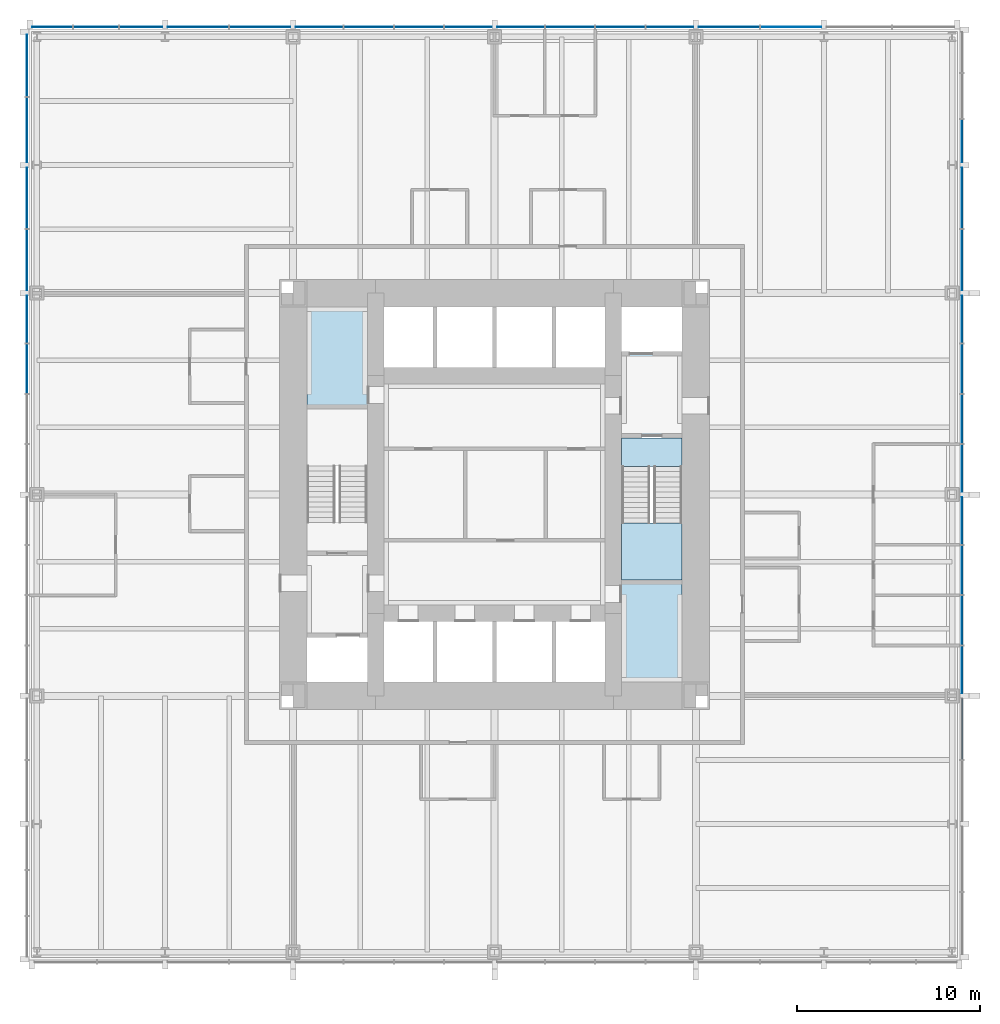
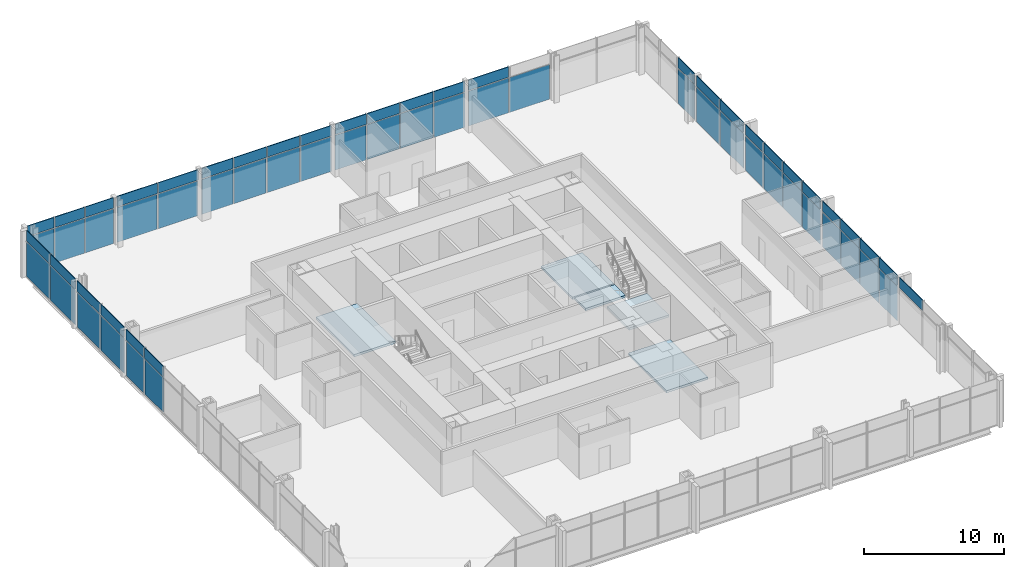
# One storey, part 8 of 12: 64 plates, 5 slabs, 4 elements without a shape of their own.
"""IFC4 building model written with IfcOpenShell, lengths in metres."""

from ifc_helpers import new_model, si_unit, direction, frame, origin, origin_2d, place, context, subcontext, project, spatial, polyline, rectangle, outline, extrude, material, layer, layer_set, type_object, element, aggregate, save


model = new_model("IFC4")

# Units and contexts
model_context = context("Model", 3, precision=1e-05, world=origin(), true_north=direction((0.0, 1.0)))
body_context = subcontext(model_context, "Body", "Model", "MODEL_VIEW")
ifc_project = project(units=[si_unit("LENGTHUNIT", "METRE"), si_unit("AREAUNIT", "SQUARE_METRE"), si_unit("VOLUMEUNIT", "CUBIC_METRE"), si_unit("PLANEANGLEUNIT", "RADIAN"), si_unit("MASSUNIT", "GRAM", prefix="KILO")], contexts=[model_context])

# Site, building, storey
site_placement = place(None, origin())
site = spatial("IfcSite", under=ifc_project, at=site_placement, CompositionType="ELEMENT")
building_placement = place(site_placement, origin())
building = spatial("IfcBuilding", under=site, at=building_placement, Name="Trevanion Tower", CompositionType="ELEMENT")
storey_placement = place(building_placement, frame((0.0, 0.0, 28.300048828125)))
storey = spatial("IfcBuildingStorey", under=building, at=storey_placement, Name="L06", CompositionType="ELEMENT", Elevation=28.300048828125)

# Curtain wall, plates
ifc_material_1 = material(Name="Aluminium and glass", Category="aluminium")
curtain_wall_type = type_object("IfcCurtainWallType", Name="CW1 curtain wall", PredefinedType="USERDEFINED", material=ifc_material_1)
curtain_wall_1_placement = place(storey_placement, origin())
curtain_wall_1 = element("IfcCurtainWall", 1, at=curtain_wall_1_placement, inside=storey, type_object=curtain_wall_type, Name="CW1 L06 0", ObjectType="UNITISED CURTAIN WALL", PredefinedType="USERDEFINED")
ifc_material_2 = material(Name="Aluminium spandrel panel", Category="aluminium")
ifc_layer_1 = layer(ifc_material_2, 0.06005859375)
ifc_layer_set_1 = layer_set([ifc_layer_1], Name="CW1 spandrel panel")
plate_type_1 = type_object("IfcPlateType", Name="CW1 spandrel panel", PredefinedType="CURTAIN_PANEL", material=ifc_layer_set_1)
plate_1_placement = place(storey_placement, frame((25.550048828125, -12.806396484375, 2.99755859375), z_axis=(0.0, 0.0, 1.0), x_axis=(0.0, 1.0, 0.0)))
plate_1 = element("IfcPlate", 2, at=plate_1_placement, type_object=plate_type_1, Name="CW1 panel 4.2", PredefinedType="CURTAIN_PANEL", context=body_context, shape_type="SweptSolid", body=[
    extrude(rectangle(XDim=3.3125, YDim=0.06005859375, at=origin_2d()), origin(), (0.0, 0.0, 1.0), 0.91259765625),
])
plate_2_placement = place(storey_placement, frame((25.550048828125, -9.56884765625, 2.99755859375), z_axis=(0.0, 0.0, 1.0), x_axis=(0.0, 1.0, 0.0)))
plate_2 = element("IfcPlate", 3, at=plate_2_placement, type_object=plate_type_1, Name="CW1 panel 5.2", PredefinedType="CURTAIN_PANEL", context=body_context, shape_type="SweptSolid", body=[
    extrude(rectangle(XDim=2.5625, YDim=0.06005859375, at=origin_2d()), origin(), (0.0, 0.0, 1.0), 0.91259765625),
])
plate_3_placement = place(storey_placement, frame((25.550048828125, -6.875, 2.99755859375), z_axis=(0.0, 0.0, 1.0), x_axis=(0.0, 1.0, 0.0)))
plate_3 = element("IfcPlate", 4, at=plate_3_placement, type_object=plate_type_1, Name="CW1 panel 6.2", PredefinedType="CURTAIN_PANEL", context=body_context, shape_type="SweptSolid", body=[
    extrude(rectangle(XDim=2.675048828125, YDim=0.06005859375, at=origin_2d()), origin(), (0.0, 0.0, 1.0), 0.91259765625),
])
plate_4_placement = place(storey_placement, frame((25.550048828125, -4.125, 2.99755859375), z_axis=(0.0, 0.0, 1.0), x_axis=(0.0, 1.0, 0.0)))
plate_4 = element("IfcPlate", 5, at=plate_4_placement, type_object=plate_type_1, Name="CW1 panel 7.2", PredefinedType="CURTAIN_PANEL", context=body_context, shape_type="SweptSolid", body=[
    extrude(rectangle(XDim=2.675048828125, YDim=0.06005859375, at=origin_2d()), origin(), (0.0, 0.0, 1.0), 0.91259765625),
])
plate_5_placement = place(storey_placement, frame((25.550048828125, -1.43115234375, 2.99755859375), z_axis=(0.0, 0.0, 1.0), x_axis=(0.0, 1.0, 0.0)))
plate_5 = element("IfcPlate", 6, at=plate_5_placement, type_object=plate_type_1, Name="CW1 panel 8.2", PredefinedType="CURTAIN_PANEL", context=body_context, shape_type="SweptSolid", body=[
    extrude(rectangle(XDim=2.5625, YDim=0.06005859375, at=origin_2d()), origin(), (0.0, 0.0, 1.0), 0.91259765625),
])
plate_6_placement = place(storey_placement, frame((25.550048828125, 1.43115234375, 2.99755859375), z_axis=(0.0, 0.0, 1.0), x_axis=(0.0, 1.0, 0.0)))
plate_6 = element("IfcPlate", 7, at=plate_6_placement, type_object=plate_type_1, Name="CW1 panel 9.2", PredefinedType="CURTAIN_PANEL", context=body_context, shape_type="SweptSolid", body=[
    extrude(rectangle(XDim=2.5625, YDim=0.06005859375, at=origin_2d()), origin(), (0.0, 0.0, 1.0), 0.91259765625),
])
plate_7_placement = place(storey_placement, frame((25.550048828125, 4.125, 2.99755859375), z_axis=(0.0, 0.0, 1.0), x_axis=(0.0, 1.0, 0.0)))
plate_7 = element("IfcPlate", 8, at=plate_7_placement, type_object=plate_type_1, Name="CW1 panel 10.2", PredefinedType="CURTAIN_PANEL", context=body_context, shape_type="SweptSolid", body=[
    extrude(rectangle(XDim=2.675048828125, YDim=0.06005859375, at=origin_2d()), origin(), (0.0, 0.0, 1.0), 0.91259765625),
])
plate_8_placement = place(storey_placement, frame((25.550048828125, 6.875, 2.99755859375), z_axis=(0.0, 0.0, 1.0), x_axis=(0.0, 1.0, 0.0)))
plate_8 = element("IfcPlate", 9, at=plate_8_placement, type_object=plate_type_1, Name="CW1 panel 11.2", PredefinedType="CURTAIN_PANEL", context=body_context, shape_type="SweptSolid", body=[
    extrude(rectangle(XDim=2.675048828125, YDim=0.06005859375, at=origin_2d()), origin(), (0.0, 0.0, 1.0), 0.91259765625),
])
plate_9_placement = place(storey_placement, frame((25.550048828125, 9.56884765625, 2.99755859375), z_axis=(0.0, 0.0, 1.0), x_axis=(0.0, 1.0, 0.0)))
plate_9 = element("IfcPlate", 10, at=plate_9_placement, type_object=plate_type_1, Name="CW1 panel 12.2", PredefinedType="CURTAIN_PANEL", context=body_context, shape_type="SweptSolid", body=[
    extrude(rectangle(XDim=2.5625, YDim=0.06005859375, at=origin_2d()), origin(), (0.0, 0.0, 1.0), 0.91259765625),
])
plate_10_placement = place(storey_placement, frame((25.550048828125, 12.80615234375, 2.99755859375), z_axis=(0.0, 0.0, 1.0), x_axis=(0.0, 1.0, 0.0)))
plate_10 = element("IfcPlate", 11, at=plate_10_placement, type_object=plate_type_1, Name="CW1 panel 13.2", PredefinedType="CURTAIN_PANEL", context=body_context, shape_type="SweptSolid", body=[
    extrude(rectangle(XDim=3.3125, YDim=0.06005859375, at=origin_2d()), origin(), (0.0, 0.0, 1.0), 0.91259765625),
])
plate_11_placement = place(storey_placement, frame((25.550048828125, 16.19384765625, 2.99755859375), z_axis=(0.0, 0.0, 1.0), x_axis=(0.0, 1.0, 0.0)))
plate_11 = element("IfcPlate", 12, at=plate_11_placement, type_object=plate_type_1, Name="CW1 panel 14.2", PredefinedType="CURTAIN_PANEL", context=body_context, shape_type="SweptSolid", body=[
    extrude(rectangle(XDim=3.3125, YDim=0.06005859375, at=origin_2d()), origin(), (0.0, 0.0, 1.0), 0.91259765625),
])
plate_12_placement = place(storey_placement, frame((25.550048828125, 19.314697265625, 2.99755859375), z_axis=(0.0, 0.0, 1.0), x_axis=(0.0, 1.0, 0.0)))
plate_12 = element("IfcPlate", 13, at=plate_12_placement, type_object=plate_type_1, Name="CW1 panel 15.2", PredefinedType="CURTAIN_PANEL", context=body_context, shape_type="SweptSolid", body=[
    extrude(rectangle(XDim=2.3291015625, YDim=0.06005859375, at=origin_2d()), origin(), (0.0, 0.0, 1.0), 0.91259765625),
])

curtain_wall_2_placement = place(storey_placement, origin())
curtain_wall_2 = element("IfcCurtainWall", 14, at=curtain_wall_2_placement, inside=storey, type_object=curtain_wall_type, Name="CW1 L06 1", ObjectType="UNITISED CURTAIN WALL", PredefinedType="USERDEFINED")
plate_13_placement = place(storey_placement, frame((12.806396484375, 25.550048828125, 2.99755859375), z_axis=(0.0, 0.0, 1.0), x_axis=(-1.0, 0.0, 0.0)))
plate_13 = element("IfcPlate", 15, at=plate_13_placement, type_object=plate_type_1, Name="CW1 panel 4.2", PredefinedType="CURTAIN_PANEL", context=body_context, shape_type="SweptSolid", body=[
    extrude(rectangle(XDim=3.3125, YDim=0.06005859375, at=origin_2d()), origin(), (0.0, 0.0, 1.0), 0.91259765625),
])
plate_14_placement = place(storey_placement, frame((9.56884765625, 25.550048828125, 2.99755859375), z_axis=(0.0, 0.0, 1.0), x_axis=(-1.0, 0.0, 0.0)))
plate_14 = element("IfcPlate", 16, at=plate_14_placement, type_object=plate_type_1, Name="CW1 panel 5.2", PredefinedType="CURTAIN_PANEL", context=body_context, shape_type="SweptSolid", body=[
    extrude(rectangle(XDim=2.5625, YDim=0.06005859375, at=origin_2d()), origin(), (0.0, 0.0, 1.0), 0.91259765625),
])
plate_15_placement = place(storey_placement, frame((6.875, 25.550048828125, 2.99755859375), z_axis=(0.0, 0.0, 1.0), x_axis=(-1.0, 0.0, 0.0)))
plate_15 = element("IfcPlate", 17, at=plate_15_placement, type_object=plate_type_1, Name="CW1 panel 6.2", PredefinedType="CURTAIN_PANEL", context=body_context, shape_type="SweptSolid", body=[
    extrude(rectangle(XDim=2.675048828125, YDim=0.06005859375, at=origin_2d()), origin(), (0.0, 0.0, 1.0), 0.91259765625),
])
plate_16_placement = place(storey_placement, frame((4.125, 25.550048828125, 2.99755859375), z_axis=(0.0, 0.0, 1.0), x_axis=(-1.0, 0.0, 0.0)))
plate_16 = element("IfcPlate", 18, at=plate_16_placement, type_object=plate_type_1, Name="CW1 panel 7.2", PredefinedType="CURTAIN_PANEL", context=body_context, shape_type="SweptSolid", body=[
    extrude(rectangle(XDim=2.675048828125, YDim=0.06005859375, at=origin_2d()), origin(), (0.0, 0.0, 1.0), 0.91259765625),
])
plate_17_placement = place(storey_placement, frame((1.43115234375, 25.550048828125, 2.99755859375), z_axis=(0.0, 0.0, 1.0), x_axis=(-1.0, 0.0, 0.0)))
plate_17 = element("IfcPlate", 19, at=plate_17_placement, type_object=plate_type_1, Name="CW1 panel 8.2", PredefinedType="CURTAIN_PANEL", context=body_context, shape_type="SweptSolid", body=[
    extrude(rectangle(XDim=2.5625, YDim=0.06005859375, at=origin_2d()), origin(), (0.0, 0.0, 1.0), 0.91259765625),
])
plate_18_placement = place(storey_placement, frame((-1.43115234375, 25.550048828125, 2.99755859375), z_axis=(0.0, 0.0, 1.0), x_axis=(-1.0, 0.0, 0.0)))
plate_18 = element("IfcPlate", 20, at=plate_18_placement, type_object=plate_type_1, Name="CW1 panel 9.2", PredefinedType="CURTAIN_PANEL", context=body_context, shape_type="SweptSolid", body=[
    extrude(rectangle(XDim=2.5625, YDim=0.06005859375, at=origin_2d()), origin(), (0.0, 0.0, 1.0), 0.91259765625),
])
plate_19_placement = place(storey_placement, frame((-4.125, 25.550048828125, 2.99755859375), z_axis=(0.0, 0.0, 1.0), x_axis=(-1.0, 0.0, 0.0)))
plate_19 = element("IfcPlate", 21, at=plate_19_placement, type_object=plate_type_1, Name="CW1 panel 10.2", PredefinedType="CURTAIN_PANEL", context=body_context, shape_type="SweptSolid", body=[
    extrude(rectangle(XDim=2.675048828125, YDim=0.06005859375, at=origin_2d()), origin(), (0.0, 0.0, 1.0), 0.91259765625),
])
plate_20_placement = place(storey_placement, frame((-6.875, 25.550048828125, 2.99755859375), z_axis=(0.0, 0.0, 1.0), x_axis=(-1.0, 0.0, 0.0)))
plate_20 = element("IfcPlate", 22, at=plate_20_placement, type_object=plate_type_1, Name="CW1 panel 11.2", PredefinedType="CURTAIN_PANEL", context=body_context, shape_type="SweptSolid", body=[
    extrude(rectangle(XDim=2.675048828125, YDim=0.06005859375, at=origin_2d()), origin(), (0.0, 0.0, 1.0), 0.91259765625),
])
plate_21_placement = place(storey_placement, frame((-9.56884765625, 25.550048828125, 2.99755859375), z_axis=(0.0, 0.0, 1.0), x_axis=(-1.0, 0.0, 0.0)))
plate_21 = element("IfcPlate", 23, at=plate_21_placement, type_object=plate_type_1, Name="CW1 panel 12.2", PredefinedType="CURTAIN_PANEL", context=body_context, shape_type="SweptSolid", body=[
    extrude(rectangle(XDim=2.5625, YDim=0.06005859375, at=origin_2d()), origin(), (0.0, 0.0, 1.0), 0.91259765625),
])
plate_22_placement = place(storey_placement, frame((-12.80615234375, 25.550048828125, 2.99755859375), z_axis=(0.0, 0.0, 1.0), x_axis=(-1.0, 0.0, 0.0)))
plate_22 = element("IfcPlate", 24, at=plate_22_placement, type_object=plate_type_1, Name="CW1 panel 13.2", PredefinedType="CURTAIN_PANEL", context=body_context, shape_type="SweptSolid", body=[
    extrude(rectangle(XDim=3.3125, YDim=0.06005859375, at=origin_2d()), origin(), (0.0, 0.0, 1.0), 0.91259765625),
])
plate_23_placement = place(storey_placement, frame((-16.19384765625, 25.550048828125, 2.99755859375), z_axis=(0.0, 0.0, 1.0), x_axis=(-1.0, 0.0, 0.0)))
plate_23 = element("IfcPlate", 25, at=plate_23_placement, type_object=plate_type_1, Name="CW1 panel 14.2", PredefinedType="CURTAIN_PANEL", context=body_context, shape_type="SweptSolid", body=[
    extrude(rectangle(XDim=3.3125, YDim=0.06005859375, at=origin_2d()), origin(), (0.0, 0.0, 1.0), 0.91259765625),
])
plate_24_placement = place(storey_placement, frame((-19.314697265625, 25.550048828125, 2.99755859375), z_axis=(0.0, 0.0, 1.0), x_axis=(-1.0, 0.0, 0.0)))
plate_24 = element("IfcPlate", 26, at=plate_24_placement, type_object=plate_type_1, Name="CW1 panel 15.2", PredefinedType="CURTAIN_PANEL", context=body_context, shape_type="SweptSolid", body=[
    extrude(rectangle(XDim=2.3291015625, YDim=0.06005859375, at=origin_2d()), origin(), (0.0, 0.0, 1.0), 0.91259765625),
])
plate_25_placement = place(storey_placement, frame((-21.77490234375, 25.550048828125, 2.99755859375), z_axis=(0.0, 0.0, 1.0), x_axis=(-1.0, 0.0, 0.0)))
plate_25 = element("IfcPlate", 27, at=plate_25_placement, type_object=plate_type_1, Name="CW1 panel 16.2", PredefinedType="CURTAIN_PANEL", context=body_context, shape_type="SweptSolid", body=[
    extrude(rectangle(XDim=2.441650390625, YDim=0.06005859375, at=origin_2d()), origin(), (0.0, 0.0, 1.0), 0.91259765625),
])
plate_26_placement = place(storey_placement, frame((-24.160400390625, 25.550048828125, 2.99755859375), z_axis=(0.0, 0.0, 1.0), x_axis=(-1.0, 0.0, 0.0)))
plate_26 = element("IfcPlate", 28, at=plate_26_placement, type_object=plate_type_1, Name="CW1 panel 17.2", PredefinedType="CURTAIN_PANEL", context=body_context, shape_type="SweptSolid", body=[
    extrude(rectangle(XDim=2.17919921875, YDim=0.06005859375, at=origin_2d()), origin(), (0.0, 0.0, 1.0), 0.91259765625),
])

curtain_wall_3_placement = place(storey_placement, origin())
curtain_wall_3 = element("IfcCurtainWall", 29, at=curtain_wall_3_placement, inside=storey, type_object=curtain_wall_type, Name="CW1 L06 2", ObjectType="UNITISED CURTAIN WALL", PredefinedType="USERDEFINED")
plate_27_placement = place(storey_placement, frame((-25.550048828125, 23.433837890625, 2.99755859375), z_axis=(0.0, 0.0, 1.0), x_axis=(0.0, -1.0, 0.0)))
plate_27 = element("IfcPlate", 30, at=plate_27_placement, type_object=plate_type_1, Name="CW1 panel 1.2", PredefinedType="CURTAIN_PANEL", context=body_context, shape_type="SweptSolid", body=[
    extrude(rectangle(XDim=3.37255859375, YDim=0.06005859375, at=origin_2d()), origin(), (0.0, 0.0, 1.0), 0.91259765625),
])
plate_28_placement = place(storey_placement, frame((-25.550048828125, 19.911376953125, 2.99755859375), z_axis=(0.0, 0.0, 1.0), x_axis=(0.0, -1.0, 0.0)))
plate_28 = element("IfcPlate", 31, at=plate_28_placement, type_object=plate_type_1, Name="CW1 panel 2.2", PredefinedType="CURTAIN_PANEL", context=body_context, shape_type="SweptSolid", body=[
    extrude(rectangle(XDim=3.5224609375, YDim=0.06005859375, at=origin_2d()), origin(), (0.0, 0.0, 1.0), 0.91259765625),
])
plate_29_placement = place(storey_placement, frame((-25.550048828125, 16.19384765625, 2.99755859375), z_axis=(0.0, 0.0, 1.0), x_axis=(0.0, -1.0, 0.0)))
plate_29 = element("IfcPlate", 32, at=plate_29_placement, type_object=plate_type_1, Name="CW1 panel 3.2", PredefinedType="CURTAIN_PANEL", context=body_context, shape_type="SweptSolid", body=[
    extrude(rectangle(XDim=3.3125, YDim=0.06005859375, at=origin_2d()), origin(), (0.0, 0.0, 1.0), 0.91259765625),
])
plate_30_placement = place(storey_placement, frame((-25.550048828125, 12.806396484375, 2.99755859375), z_axis=(0.0, 0.0, 1.0), x_axis=(0.0, -1.0, 0.0)))
plate_30 = element("IfcPlate", 33, at=plate_30_placement, type_object=plate_type_1, Name="CW1 panel 4.2", PredefinedType="CURTAIN_PANEL", context=body_context, shape_type="SweptSolid", body=[
    extrude(rectangle(XDim=3.3125, YDim=0.06005859375, at=origin_2d()), origin(), (0.0, 0.0, 1.0), 0.91259765625),
])
plate_31_placement = place(storey_placement, frame((-25.550048828125, 9.56884765625, 2.99755859375), z_axis=(0.0, 0.0, 1.0), x_axis=(0.0, -1.0, 0.0)))
plate_31 = element("IfcPlate", 34, at=plate_31_placement, type_object=plate_type_1, Name="CW1 panel 5.2", PredefinedType="CURTAIN_PANEL", context=body_context, shape_type="SweptSolid", body=[
    extrude(rectangle(XDim=2.5625, YDim=0.06005859375, at=origin_2d()), origin(), (0.0, 0.0, 1.0), 0.91259765625),
])
plate_32_placement = place(storey_placement, frame((-25.550048828125, 6.875, 2.99755859375), z_axis=(0.0, 0.0, 1.0), x_axis=(0.0, -1.0, 0.0)))
plate_32 = element("IfcPlate", 35, at=plate_32_placement, type_object=plate_type_1, Name="CW1 panel 6.2", PredefinedType="CURTAIN_PANEL", context=body_context, shape_type="SweptSolid", body=[
    extrude(rectangle(XDim=2.675048828125, YDim=0.06005859375, at=origin_2d()), origin(), (0.0, 0.0, 1.0), 0.91259765625),
])

# Plate
ifc_material_3 = material(Name="Insulating glass unit", Category="glass")
ifc_layer_2 = layer(ifc_material_3, 0.028076171875)
ifc_layer_set_2 = layer_set([ifc_layer_2], Name="CW1 vision panel")
plate_type_2 = type_object("IfcPlateType", Name="CW1 vision panel", PredefinedType="CURTAIN_PANEL", material=ifc_layer_set_2)
plate_33_placement = place(storey_placement, frame((25.550048828125, -9.56884765625, -0.115234375), z_axis=(0.0, 0.0, 1.0), x_axis=(0.0, 1.0, 0.0)))
plate_33 = element("IfcPlate", 36, at=plate_33_placement, type_object=plate_type_2, Name="CW1 panel 5.1", PredefinedType="CURTAIN_PANEL", context=body_context, shape_type="SweptSolid", body=[
    extrude(rectangle(XDim=2.5625, YDim=0.028076171875, at=origin_2d()), origin(), (0.0, 0.0, 1.0), 3.03759765625),
])

plate_34_placement = place(storey_placement, frame((25.550048828125, -6.875, -0.115234375), z_axis=(0.0, 0.0, 1.0), x_axis=(0.0, 1.0, 0.0)))
plate_34 = element("IfcPlate", 37, at=plate_34_placement, type_object=plate_type_2, Name="CW1 panel 6.1", PredefinedType="CURTAIN_PANEL", context=body_context, shape_type="SweptSolid", body=[
    extrude(rectangle(XDim=2.675048828125, YDim=0.028076171875, at=origin_2d()), origin(), (0.0, 0.0, 1.0), 3.03759765625),
])

plate_35_placement = place(storey_placement, frame((25.550048828125, -4.125, -0.115234375), z_axis=(0.0, 0.0, 1.0), x_axis=(0.0, 1.0, 0.0)))
plate_35 = element("IfcPlate", 38, at=plate_35_placement, type_object=plate_type_2, Name="CW1 panel 7.1", PredefinedType="CURTAIN_PANEL", context=body_context, shape_type="SweptSolid", body=[
    extrude(rectangle(XDim=2.675048828125, YDim=0.028076171875, at=origin_2d()), origin(), (0.0, 0.0, 1.0), 3.03759765625),
])

plate_36_placement = place(storey_placement, frame((25.550048828125, -1.43115234375, -0.115234375), z_axis=(0.0, 0.0, 1.0), x_axis=(0.0, 1.0, 0.0)))
plate_36 = element("IfcPlate", 39, at=plate_36_placement, type_object=plate_type_2, Name="CW1 panel 8.1", PredefinedType="CURTAIN_PANEL", context=body_context, shape_type="SweptSolid", body=[
    extrude(rectangle(XDim=2.5625, YDim=0.028076171875, at=origin_2d()), origin(), (0.0, 0.0, 1.0), 3.03759765625),
])

plate_37_placement = place(storey_placement, frame((25.550048828125, 1.43115234375, -0.115234375), z_axis=(0.0, 0.0, 1.0), x_axis=(0.0, 1.0, 0.0)))
plate_37 = element("IfcPlate", 40, at=plate_37_placement, type_object=plate_type_2, Name="CW1 panel 9.1", PredefinedType="CURTAIN_PANEL", context=body_context, shape_type="SweptSolid", body=[
    extrude(rectangle(XDim=2.5625, YDim=0.028076171875, at=origin_2d()), origin(), (0.0, 0.0, 1.0), 3.03759765625),
])

plate_38_placement = place(storey_placement, frame((25.550048828125, 4.125, -0.115234375), z_axis=(0.0, 0.0, 1.0), x_axis=(0.0, 1.0, 0.0)))
plate_38 = element("IfcPlate", 41, at=plate_38_placement, type_object=plate_type_2, Name="CW1 panel 10.1", PredefinedType="CURTAIN_PANEL", context=body_context, shape_type="SweptSolid", body=[
    extrude(rectangle(XDim=2.675048828125, YDim=0.028076171875, at=origin_2d()), origin(), (0.0, 0.0, 1.0), 3.03759765625),
])

plate_39_placement = place(storey_placement, frame((25.550048828125, 6.875, -0.115234375), z_axis=(0.0, 0.0, 1.0), x_axis=(0.0, 1.0, 0.0)))
plate_39 = element("IfcPlate", 42, at=plate_39_placement, type_object=plate_type_2, Name="CW1 panel 11.1", PredefinedType="CURTAIN_PANEL", context=body_context, shape_type="SweptSolid", body=[
    extrude(rectangle(XDim=2.675048828125, YDim=0.028076171875, at=origin_2d()), origin(), (0.0, 0.0, 1.0), 3.03759765625),
])

plate_40_placement = place(storey_placement, frame((25.550048828125, 9.56884765625, -0.115234375), z_axis=(0.0, 0.0, 1.0), x_axis=(0.0, 1.0, 0.0)))
plate_40 = element("IfcPlate", 43, at=plate_40_placement, type_object=plate_type_2, Name="CW1 panel 12.1", PredefinedType="CURTAIN_PANEL", context=body_context, shape_type="SweptSolid", body=[
    extrude(rectangle(XDim=2.5625, YDim=0.028076171875, at=origin_2d()), origin(), (0.0, 0.0, 1.0), 3.03759765625),
])

plate_41_placement = place(storey_placement, frame((25.550048828125, 12.80615234375, -0.115234375), z_axis=(0.0, 0.0, 1.0), x_axis=(0.0, 1.0, 0.0)))
plate_41 = element("IfcPlate", 44, at=plate_41_placement, type_object=plate_type_2, Name="CW1 panel 13.1", PredefinedType="CURTAIN_PANEL", context=body_context, shape_type="SweptSolid", body=[
    extrude(rectangle(XDim=3.3125, YDim=0.028076171875, at=origin_2d()), origin(), (0.0, 0.0, 1.0), 3.03759765625),
])

plate_42_placement = place(storey_placement, frame((25.550048828125, 16.19384765625, -0.115234375), z_axis=(0.0, 0.0, 1.0), x_axis=(0.0, 1.0, 0.0)))
plate_42 = element("IfcPlate", 45, at=plate_42_placement, type_object=plate_type_2, Name="CW1 panel 14.1", PredefinedType="CURTAIN_PANEL", context=body_context, shape_type="SweptSolid", body=[
    extrude(rectangle(XDim=3.3125, YDim=0.028076171875, at=origin_2d()), origin(), (0.0, 0.0, 1.0), 3.03759765625),
])

plate_43_placement = place(storey_placement, frame((25.550048828125, 19.314697265625, -0.115234375), z_axis=(0.0, 0.0, 1.0), x_axis=(0.0, 1.0, 0.0)))
plate_43 = element("IfcPlate", 46, at=plate_43_placement, type_object=plate_type_2, Name="CW1 panel 15.1", PredefinedType="CURTAIN_PANEL", context=body_context, shape_type="SweptSolid", body=[
    extrude(rectangle(XDim=2.3291015625, YDim=0.028076171875, at=origin_2d()), origin(), (0.0, 0.0, 1.0), 3.03759765625),
])

aggregate(curtain_wall_1, [plate_1, plate_33, plate_2, plate_34, plate_3, plate_35, plate_4, plate_36, plate_5, plate_37, plate_6, plate_38, plate_7, plate_39, plate_8, plate_40, plate_9, plate_41, plate_10, plate_42, plate_11, plate_43, plate_12])

plate_44_placement = place(storey_placement, frame((16.19384765625, 25.550048828125, -0.115234375), z_axis=(0.0, 0.0, 1.0), x_axis=(-1.0, 0.0, 0.0)))
plate_44 = element("IfcPlate", 47, at=plate_44_placement, type_object=plate_type_2, Name="CW1 panel 3.1", PredefinedType="CURTAIN_PANEL", context=body_context, shape_type="SweptSolid", body=[
    extrude(rectangle(XDim=3.3125, YDim=0.028076171875, at=origin_2d()), origin(), (0.0, 0.0, 1.0), 3.03759765625),
])

plate_45_placement = place(storey_placement, frame((12.806396484375, 25.550048828125, -0.115234375), z_axis=(0.0, 0.0, 1.0), x_axis=(-1.0, 0.0, 0.0)))
plate_45 = element("IfcPlate", 48, at=plate_45_placement, type_object=plate_type_2, Name="CW1 panel 4.1", PredefinedType="CURTAIN_PANEL", context=body_context, shape_type="SweptSolid", body=[
    extrude(rectangle(XDim=3.3125, YDim=0.028076171875, at=origin_2d()), origin(), (0.0, 0.0, 1.0), 3.03759765625),
])

plate_46_placement = place(storey_placement, frame((9.56884765625, 25.550048828125, -0.115234375), z_axis=(0.0, 0.0, 1.0), x_axis=(-1.0, 0.0, 0.0)))
plate_46 = element("IfcPlate", 49, at=plate_46_placement, type_object=plate_type_2, Name="CW1 panel 5.1", PredefinedType="CURTAIN_PANEL", context=body_context, shape_type="SweptSolid", body=[
    extrude(rectangle(XDim=2.5625, YDim=0.028076171875, at=origin_2d()), origin(), (0.0, 0.0, 1.0), 3.03759765625),
])

plate_47_placement = place(storey_placement, frame((6.875, 25.550048828125, -0.115234375), z_axis=(0.0, 0.0, 1.0), x_axis=(-1.0, 0.0, 0.0)))
plate_47 = element("IfcPlate", 50, at=plate_47_placement, type_object=plate_type_2, Name="CW1 panel 6.1", PredefinedType="CURTAIN_PANEL", context=body_context, shape_type="SweptSolid", body=[
    extrude(rectangle(XDim=2.675048828125, YDim=0.028076171875, at=origin_2d()), origin(), (0.0, 0.0, 1.0), 3.03759765625),
])

plate_48_placement = place(storey_placement, frame((4.125, 25.550048828125, -0.115234375), z_axis=(0.0, 0.0, 1.0), x_axis=(-1.0, 0.0, 0.0)))
plate_48 = element("IfcPlate", 51, at=plate_48_placement, type_object=plate_type_2, Name="CW1 panel 7.1", PredefinedType="CURTAIN_PANEL", context=body_context, shape_type="SweptSolid", body=[
    extrude(rectangle(XDim=2.675048828125, YDim=0.028076171875, at=origin_2d()), origin(), (0.0, 0.0, 1.0), 3.03759765625),
])

plate_49_placement = place(storey_placement, frame((1.43115234375, 25.550048828125, -0.115234375), z_axis=(0.0, 0.0, 1.0), x_axis=(-1.0, 0.0, 0.0)))
plate_49 = element("IfcPlate", 52, at=plate_49_placement, type_object=plate_type_2, Name="CW1 panel 8.1", PredefinedType="CURTAIN_PANEL", context=body_context, shape_type="SweptSolid", body=[
    extrude(rectangle(XDim=2.5625, YDim=0.028076171875, at=origin_2d()), origin(), (0.0, 0.0, 1.0), 3.03759765625),
])

plate_50_placement = place(storey_placement, frame((-1.43115234375, 25.550048828125, -0.115234375), z_axis=(0.0, 0.0, 1.0), x_axis=(-1.0, 0.0, 0.0)))
plate_50 = element("IfcPlate", 53, at=plate_50_placement, type_object=plate_type_2, Name="CW1 panel 9.1", PredefinedType="CURTAIN_PANEL", context=body_context, shape_type="SweptSolid", body=[
    extrude(rectangle(XDim=2.5625, YDim=0.028076171875, at=origin_2d()), origin(), (0.0, 0.0, 1.0), 3.03759765625),
])

plate_51_placement = place(storey_placement, frame((-4.125, 25.550048828125, -0.115234375), z_axis=(0.0, 0.0, 1.0), x_axis=(-1.0, 0.0, 0.0)))
plate_51 = element("IfcPlate", 54, at=plate_51_placement, type_object=plate_type_2, Name="CW1 panel 10.1", PredefinedType="CURTAIN_PANEL", context=body_context, shape_type="SweptSolid", body=[
    extrude(rectangle(XDim=2.675048828125, YDim=0.028076171875, at=origin_2d()), origin(), (0.0, 0.0, 1.0), 3.03759765625),
])

plate_52_placement = place(storey_placement, frame((-6.875, 25.550048828125, -0.115234375), z_axis=(0.0, 0.0, 1.0), x_axis=(-1.0, 0.0, 0.0)))
plate_52 = element("IfcPlate", 55, at=plate_52_placement, type_object=plate_type_2, Name="CW1 panel 11.1", PredefinedType="CURTAIN_PANEL", context=body_context, shape_type="SweptSolid", body=[
    extrude(rectangle(XDim=2.675048828125, YDim=0.028076171875, at=origin_2d()), origin(), (0.0, 0.0, 1.0), 3.03759765625),
])

plate_53_placement = place(storey_placement, frame((-9.56884765625, 25.550048828125, -0.115234375), z_axis=(0.0, 0.0, 1.0), x_axis=(-1.0, 0.0, 0.0)))
plate_53 = element("IfcPlate", 56, at=plate_53_placement, type_object=plate_type_2, Name="CW1 panel 12.1", PredefinedType="CURTAIN_PANEL", context=body_context, shape_type="SweptSolid", body=[
    extrude(rectangle(XDim=2.5625, YDim=0.028076171875, at=origin_2d()), origin(), (0.0, 0.0, 1.0), 3.03759765625),
])

plate_54_placement = place(storey_placement, frame((-12.80615234375, 25.550048828125, -0.115234375), z_axis=(0.0, 0.0, 1.0), x_axis=(-1.0, 0.0, 0.0)))
plate_54 = element("IfcPlate", 57, at=plate_54_placement, type_object=plate_type_2, Name="CW1 panel 13.1", PredefinedType="CURTAIN_PANEL", context=body_context, shape_type="SweptSolid", body=[
    extrude(rectangle(XDim=3.3125, YDim=0.028076171875, at=origin_2d()), origin(), (0.0, 0.0, 1.0), 3.03759765625),
])

plate_55_placement = place(storey_placement, frame((-16.19384765625, 25.550048828125, -0.115234375), z_axis=(0.0, 0.0, 1.0), x_axis=(-1.0, 0.0, 0.0)))
plate_55 = element("IfcPlate", 58, at=plate_55_placement, type_object=plate_type_2, Name="CW1 panel 14.1", PredefinedType="CURTAIN_PANEL", context=body_context, shape_type="SweptSolid", body=[
    extrude(rectangle(XDim=3.3125, YDim=0.028076171875, at=origin_2d()), origin(), (0.0, 0.0, 1.0), 3.03759765625),
])

plate_56_placement = place(storey_placement, frame((-19.314697265625, 25.550048828125, -0.115234375), z_axis=(0.0, 0.0, 1.0), x_axis=(-1.0, 0.0, 0.0)))
plate_56 = element("IfcPlate", 59, at=plate_56_placement, type_object=plate_type_2, Name="CW1 panel 15.1", PredefinedType="CURTAIN_PANEL", context=body_context, shape_type="SweptSolid", body=[
    extrude(rectangle(XDim=2.3291015625, YDim=0.028076171875, at=origin_2d()), origin(), (0.0, 0.0, 1.0), 3.03759765625),
])

plate_57_placement = place(storey_placement, frame((-21.77490234375, 25.550048828125, -0.115234375), z_axis=(0.0, 0.0, 1.0), x_axis=(-1.0, 0.0, 0.0)))
plate_57 = element("IfcPlate", 60, at=plate_57_placement, type_object=plate_type_2, Name="CW1 panel 16.1", PredefinedType="CURTAIN_PANEL", context=body_context, shape_type="SweptSolid", body=[
    extrude(rectangle(XDim=2.441650390625, YDim=0.028076171875, at=origin_2d()), origin(), (0.0, 0.0, 1.0), 3.03759765625),
])

plate_58_placement = place(storey_placement, frame((-24.160400390625, 25.550048828125, -0.115234375), z_axis=(0.0, 0.0, 1.0), x_axis=(-1.0, 0.0, 0.0)))
plate_58 = element("IfcPlate", 61, at=plate_58_placement, type_object=plate_type_2, Name="CW1 panel 17.1", PredefinedType="CURTAIN_PANEL", context=body_context, shape_type="SweptSolid", body=[
    extrude(rectangle(XDim=2.17919921875, YDim=0.028076171875, at=origin_2d()), origin(), (0.0, 0.0, 1.0), 3.03759765625),
])

aggregate(curtain_wall_2, [plate_44, plate_45, plate_13, plate_46, plate_14, plate_47, plate_15, plate_48, plate_16, plate_49, plate_17, plate_50, plate_18, plate_51, plate_19, plate_52, plate_20, plate_53, plate_21, plate_54, plate_22, plate_55, plate_23, plate_56, plate_24, plate_57, plate_25, plate_58, plate_26])

plate_59_placement = place(storey_placement, frame((-25.550048828125, 23.433837890625, -0.115234375), z_axis=(0.0, 0.0, 1.0), x_axis=(0.0, -1.0, 0.0)))
plate_59 = element("IfcPlate", 62, at=plate_59_placement, type_object=plate_type_2, Name="CW1 panel 1.1", PredefinedType="CURTAIN_PANEL", context=body_context, shape_type="SweptSolid", body=[
    extrude(rectangle(XDim=3.37255859375, YDim=0.028076171875, at=origin_2d()), origin(), (0.0, 0.0, 1.0), 3.03759765625),
])

plate_60_placement = place(storey_placement, frame((-25.550048828125, 19.911376953125, -0.115234375), z_axis=(0.0, 0.0, 1.0), x_axis=(0.0, -1.0, 0.0)))
plate_60 = element("IfcPlate", 63, at=plate_60_placement, type_object=plate_type_2, Name="CW1 panel 2.1", PredefinedType="CURTAIN_PANEL", context=body_context, shape_type="SweptSolid", body=[
    extrude(rectangle(XDim=3.5224609375, YDim=0.028076171875, at=origin_2d()), origin(), (0.0, 0.0, 1.0), 3.03759765625),
])

plate_61_placement = place(storey_placement, frame((-25.550048828125, 16.19384765625, -0.115234375), z_axis=(0.0, 0.0, 1.0), x_axis=(0.0, -1.0, 0.0)))
plate_61 = element("IfcPlate", 64, at=plate_61_placement, type_object=plate_type_2, Name="CW1 panel 3.1", PredefinedType="CURTAIN_PANEL", context=body_context, shape_type="SweptSolid", body=[
    extrude(rectangle(XDim=3.3125, YDim=0.028076171875, at=origin_2d()), origin(), (0.0, 0.0, 1.0), 3.03759765625),
])

plate_62_placement = place(storey_placement, frame((-25.550048828125, 12.806396484375, -0.115234375), z_axis=(0.0, 0.0, 1.0), x_axis=(0.0, -1.0, 0.0)))
plate_62 = element("IfcPlate", 65, at=plate_62_placement, type_object=plate_type_2, Name="CW1 panel 4.1", PredefinedType="CURTAIN_PANEL", context=body_context, shape_type="SweptSolid", body=[
    extrude(rectangle(XDim=3.3125, YDim=0.028076171875, at=origin_2d()), origin(), (0.0, 0.0, 1.0), 3.03759765625),
])

plate_63_placement = place(storey_placement, frame((-25.550048828125, 9.56884765625, -0.115234375), z_axis=(0.0, 0.0, 1.0), x_axis=(0.0, -1.0, 0.0)))
plate_63 = element("IfcPlate", 66, at=plate_63_placement, type_object=plate_type_2, Name="CW1 panel 5.1", PredefinedType="CURTAIN_PANEL", context=body_context, shape_type="SweptSolid", body=[
    extrude(rectangle(XDim=2.5625, YDim=0.028076171875, at=origin_2d()), origin(), (0.0, 0.0, 1.0), 3.03759765625),
])

plate_64_placement = place(storey_placement, frame((-25.550048828125, 6.875, -0.115234375), z_axis=(0.0, 0.0, 1.0), x_axis=(0.0, -1.0, 0.0)))
plate_64 = element("IfcPlate", 67, at=plate_64_placement, type_object=plate_type_2, Name="CW1 panel 6.1", PredefinedType="CURTAIN_PANEL", context=body_context, shape_type="SweptSolid", body=[
    extrude(rectangle(XDim=2.675048828125, YDim=0.028076171875, at=origin_2d()), origin(), (0.0, 0.0, 1.0), 3.03759765625),
])

aggregate(curtain_wall_3, [plate_59, plate_27, plate_60, plate_28, plate_61, plate_29, plate_62, plate_30, plate_63, plate_31, plate_64, plate_32])

# Slabs
ifc_material_4 = material(Name="Concrete 5,000 psi", Category="concrete")
ifc_layer_3 = layer(ifc_material_4, 0.199951171875)
ifc_layer_set_3 = layer_set([ifc_layer_3], Name="SL2 core floor 200")
slab_type_1 = type_object("IfcSlabType", Name="SL2 core floor 200", PredefinedType="FLOOR", material=ifc_layer_set_3)
slab_1_placement = place(storey_placement, frame((0.0, 0.0, -0.199951171875)))
element("IfcSlab", 68, at=slab_1_placement, inside=storey, type_object=slab_type_1, Name="SL2 L06 core floor 1", PredefinedType="FLOOR", context=body_context, shape_type="SweptSolid", body=[
    extrude(outline(polyline([(10.25, -4.804931640625), (10.25, -10.25), (6.830078125, -10.25), (6.830078125, -4.804931640625), (10.25, -4.804931640625)])), origin(), (0.0, 0.0, 1.0), 0.199951171875),
])
slab_2_placement = place(storey_placement, frame((0.0, 0.0, -0.199951171875)))
element("IfcSlab", 69, at=slab_2_placement, inside=storey, type_object=slab_type_1, Name="SL2 L06 core floor 4", PredefinedType="FLOOR", context=body_context, shape_type="SweptSolid", body=[
    extrude(outline(polyline([(6.830078125, 3.205078125), (6.830078125, 7.695068359375), (10.25, 7.695068359375), (10.25, 3.205078125), (6.830078125, 3.205078125)])), origin(), (0.0, 0.0, 1.0), 0.199951171875),
])
slab_3_placement = place(storey_placement, frame((0.0, 0.0, -0.199951171875)))
element("IfcSlab", 70, at=slab_3_placement, inside=storey, type_object=slab_type_1, Name="SL2 L06 core floor 5", PredefinedType="FLOOR", context=body_context, shape_type="SweptSolid", body=[
    extrude(outline(polyline([(-6.830078125, 4.804931640625), (-10.25, 4.804931640625), (-10.25, 10.25), (-6.830078125, 10.25), (-6.830078125, 4.804931640625)])), origin(), (0.0, 0.0, 1.0), 0.199951171875),
])

# Stair, slabs
ifc_material_5 = material(Name="Concrete 5,000 psi on steel stringers", Category="concrete")
stair_type = type_object("IfcStairType", Name="ST stair", PredefinedType="HALF_TURN_STAIR", material=ifc_material_5)
stair_placement = place(storey_placement, origin())
stair = element("IfcStair", 71, at=stair_placement, inside=storey, type_object=stair_type, Name="ST1 L06", PredefinedType="HALF_TURN_STAIR")
ifc_material_6 = material(Name="Concrete 5,000 psi in steel pan", Category="concrete")
ifc_layer_4 = layer(ifc_material_6, 0.199951171875)
ifc_layer_set_4 = layer_set([ifc_layer_4], Name="STL stair landing 200")
slab_type_2 = type_object("IfcSlabType", Name="STL stair landing 200", PredefinedType="LANDING", material=ifc_layer_set_4)
slab_4_placement = place(storey_placement, frame((0.0, 0.0, -0.199951171875)))
slab_4 = element("IfcSlab", 72, at=slab_4_placement, type_object=slab_type_2, Name="ST1 landing 1", PredefinedType="LANDING", context=body_context, shape_type="SweptSolid", body=[
    extrude(outline(polyline([(6.949951171875, 1.52490234375), (10.25, 1.52490234375), (10.25, 3.074951171875), (6.949951171875, 3.074951171875), (6.949951171875, 1.52490234375)])), origin(), (0.0, 0.0, 1.0), 0.199951171875),
])
slab_5_placement = place(storey_placement, frame((0.0, 0.0, 1.849853515625)))
slab_5 = element("IfcSlab", 73, at=slab_5_placement, type_object=slab_type_2, Name="ST1 landing 2", PredefinedType="LANDING", context=body_context, shape_type="SweptSolid", body=[
    extrude(outline(polyline([(6.949951171875, -4.675048828125), (10.25, -4.675048828125), (10.25, -1.554931640625), (6.949951171875, -1.554931640625), (6.949951171875, -4.675048828125)])), origin(), (0.0, 0.0, 1.0), 0.2001953125),
])
aggregate(stair, [slab_4, slab_5])

save(model, "model.ifc")
